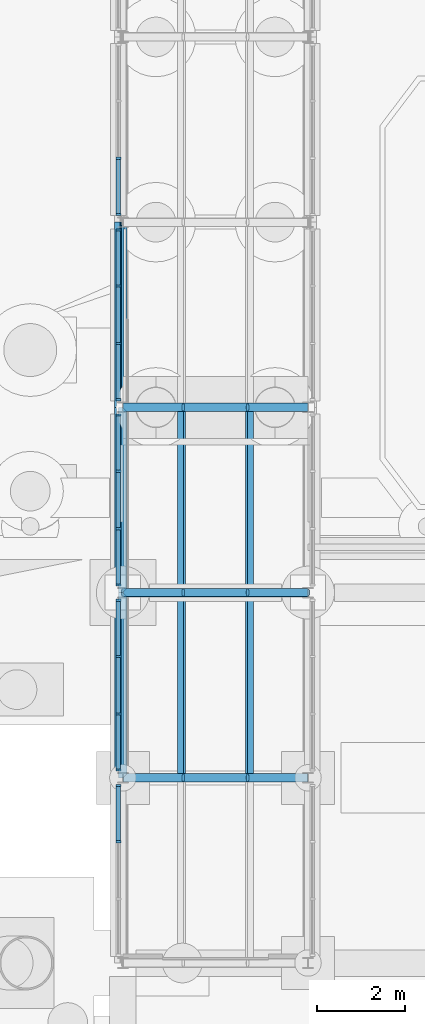
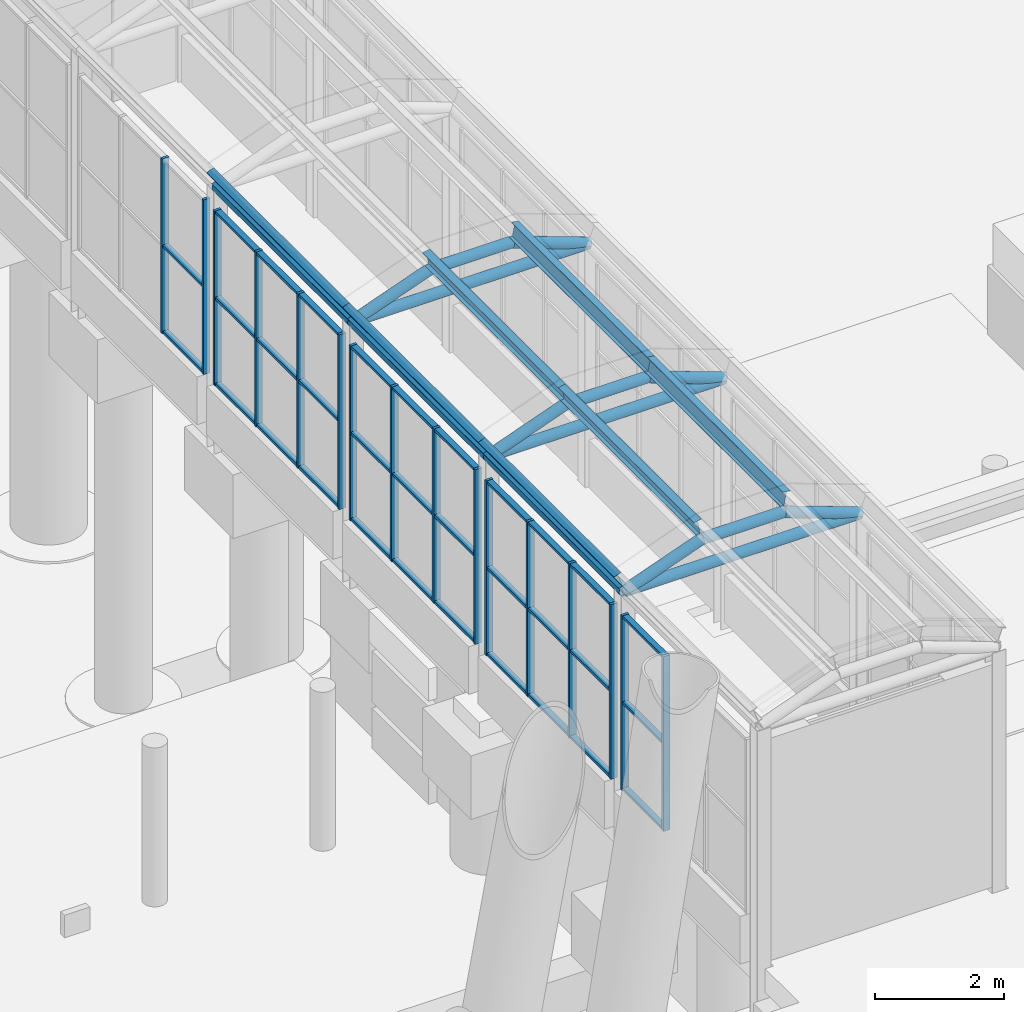
# One storey, part 66 of 222: 58 members, 12 beams, 5 elements without a shape of their own.
"""IFC4 building model written with IfcOpenShell, lengths in metres."""

from ifc_helpers import new_model, si_unit, direction, frame, origin, origin_2d, place, context, subcontext, project, spatial, rectangle, hollow_circle, i_section, extrude, material, material_profile, profile_set, type_object, element, aggregate, save


model = new_model("IFC4")

# Units and contexts
model_context = context("Model", 3, precision=1e-05, world=origin(), true_north=direction((0.0, 1.0)))
body_context = subcontext(model_context, "Body", "Model", "MODEL_VIEW")
ifc_project = project(units=[si_unit("LENGTHUNIT", "METRE"), si_unit("AREAUNIT", "SQUARE_METRE"), si_unit("VOLUMEUNIT", "CUBIC_METRE"), si_unit("PLANEANGLEUNIT", "RADIAN"), si_unit("MASSUNIT", "GRAM", prefix="KILO")], contexts=[model_context])

# Site, building, storey
site_placement = place(None, origin())
site = spatial("IfcSite", under=ifc_project, at=site_placement, CompositionType="ELEMENT")
building_placement = place(site_placement, origin())
building = spatial("IfcBuilding", under=site, at=building_placement, Name="Sava Quay Ferry Terminal", CompositionType="ELEMENT")
storey_placement = place(building_placement, origin())
storey = spatial("IfcBuildingStorey", under=building, at=storey_placement, Name="L00", CompositionType="ELEMENT", Elevation=0.0)

# Beams
ifc_material_1 = material(Name="Steel S355", Category="steel")
ifc_material_profile_1 = material_profile(ifc_material_1, hollow_circle(Radius=0.096923828125, WallThickness=0.008056640625, at=origin_2d()), Name="CHS 193.7 x 8.0")
ifc_profile_set_1 = profile_set([ifc_material_profile_1], Name="Steel S355")
beam_type_1 = type_object("IfcBeamType", Name="Gallery eave beam CHS 193.7x8", PredefinedType="BEAM", material=ifc_profile_set_1)
beam_1_placement = place(storey_placement, frame((75.60009765625, 113.39990234375, 4.5), z_axis=(0.0, 1.0, 0.0), x_axis=(-1.0, 0.0, 0.0)))
element("IfcBeam", 1, at=beam_1_placement, inside=storey, type_object=beam_type_1, Name="Boarding gallery B2 eave beam L2", PredefinedType="BEAM", context=body_context, shape_type="SweptSolid", body=[
    extrude(hollow_circle(Radius=0.096923828125, WallThickness=0.008056640625, at=origin_2d()), origin(), (0.0, 0.0, 1.0), 4.2001953125),
])
for number, where, z_axis, x_axis, name in (
    (2, (75.60009765625, 117.60009765625, 4.5), (0.0, 1.0, 0.0), (-1.0, 0.0, 0.0), "Boarding gallery B2 eave beam L3"),
    (3, (75.60009765625, 121.800048828125, 4.5), (0.0, 1.0, 0.0), (-1.0, 0.0, 0.0), "Boarding gallery B2 eave beam L4"),
):
    element("IfcBeam", number, at=place(storey_placement, frame(where, z_axis=z_axis, x_axis=x_axis)), inside=storey, type_object=beam_type_1, Name=name, PredefinedType="BEAM", context=body_context, shape_type="SweptSolid", body=[
        extrude(hollow_circle(Radius=0.096923828125, WallThickness=0.008056640625, at=origin_2d()), origin(), (0.0, 0.0, 1.0), 4.199951171875),
    ])

# Members
ifc_material_2 = material(Name="Steel S355", Category="steel")
ifc_material_profile_2 = material_profile(ifc_material_2, i_section(OverallWidth=0.135009765625, OverallDepth=0.27001953125, WebThickness=0.006591796875, FlangeThickness=0.01025390625, at=origin_2d()), Name="IPE 270")
ifc_profile_set_2 = profile_set([ifc_material_profile_2], Name="Steel S355")
member_type_1 = type_object("IfcMemberType", Name="Gallery purlin IPE 270", PredefinedType="PURLIN", material=ifc_profile_set_2)
for number, where, z_axis, x_axis, name in (
    (4, (75.520751953125, 113.39990234375, 4.718017578125), (0.0, 1.0, 0.0), (-0.939692620786, 0.0, -0.342020143326), "Boarding gallery B2 edge purlin bay 2 V0"),
    (5, (76.9296875, 113.39990234375, 5.230712890625), (0.0, 1.0, 0.0), (-0.984807753012, 0.0, -0.173648177667), "Boarding gallery B2 purlin bay 2 V1"),
    (6, (78.47021484375, 113.39990234375, 5.230712890625), (0.0, 1.0, 0.0), (-0.984807753012, 0.0, 0.173648177667), "Boarding gallery B2 purlin bay 2 V2"),
):
    element("IfcMember", number, at=place(storey_placement, frame(where, z_axis=z_axis, x_axis=x_axis)), inside=storey, type_object=member_type_1, Name=name, PredefinedType="PURLIN", context=body_context, shape_type="SweptSolid", body=[
        extrude(i_section(OverallWidth=0.135009765625, OverallDepth=0.27001953125, WebThickness=0.006591796875, FlangeThickness=0.01025390625, at=origin_2d()), origin(), (0.0, 0.0, 1.0), 4.2001953125),
    ])
for number, where, z_axis, x_axis, name in (
    (7, (75.520751953125, 117.60009765625, 4.718017578125), (0.0, 1.0, 0.0), (-0.939692620786, 0.0, -0.342020143326), "Boarding gallery B2 edge purlin bay 3 V0"),
    (8, (76.9296875, 117.60009765625, 5.230712890625), (0.0, 1.0, 0.0), (-0.984807753012, 0.0, -0.173648177667), "Boarding gallery B2 purlin bay 3 V1"),
    (9, (78.47021484375, 117.60009765625, 5.230712890625), (0.0, 1.0, 0.0), (-0.984807753012, 0.0, 0.173648177667), "Boarding gallery B2 purlin bay 3 V2"),
    (10, (75.520751953125, 121.800048828125, 4.718017578125), (0.0, 1.0, 0.0), (-0.939692620786, 0.0, -0.342020143326), "Boarding gallery B2 edge purlin bay 4 V0"),
):
    element("IfcMember", number, at=place(storey_placement, frame(where, z_axis=z_axis, x_axis=x_axis)), inside=storey, type_object=member_type_1, Name=name, PredefinedType="PURLIN", context=body_context, shape_type="SweptSolid", body=[
        extrude(i_section(OverallWidth=0.135009765625, OverallDepth=0.27001953125, WebThickness=0.006591796875, FlangeThickness=0.01025390625, at=origin_2d()), origin(), (0.0, 0.0, 1.0), 4.199951171875),
    ])

# Beams
ifc_material_3 = material(Name="Steel S355", Category="steel")
ifc_material_profile_3 = material_profile(ifc_material_3, hollow_circle(Radius=0.096923828125, WallThickness=0.008056640625, at=origin_2d()), Name="CHS 193.7 x 8.0")
ifc_profile_set_3 = profile_set([ifc_material_profile_3], Name="Steel S355")
beam_type_2 = type_object("IfcBeamType", Name="Gallery rib CHS 193.7x8", PredefinedType="BEAM", material=ifc_profile_set_3)
beam_2_placement = place(storey_placement, frame((75.60009765625, 113.39990234375, 4.5), z_axis=(0.939710313144, 0.0, 0.341971530059), x_axis=(0.0, 1.0, 0.0)))
element("IfcBeam", 11, at=beam_2_placement, inside=storey, type_object=beam_type_2, Name="Boarding gallery B2 arch rib R1 seg 1", PredefinedType="BEAM", context=body_context, shape_type="SweptSolid", body=[
    extrude(hollow_circle(Radius=0.096923828125, WallThickness=0.008056640625, at=origin_2d()), origin(), (0.0, 0.0, 1.0), 1.45849609375),
])
beam_3_placement = place(storey_placement, frame((76.970703125, 113.39990234375, 4.998779296875), z_axis=(1.0, 0.0, 0.0), x_axis=(0.0, 1.0, 0.0)))
element("IfcBeam", 12, at=beam_3_placement, inside=storey, type_object=beam_type_2, Name="Boarding gallery B2 arch rib R1 seg 2", PredefinedType="BEAM", context=body_context, shape_type="SweptSolid", body=[
    extrude(hollow_circle(Radius=0.096923828125, WallThickness=0.008056640625, at=origin_2d()), origin(), (0.0, 0.0, 1.0), 1.458740234375),
])
for number, where, z_axis, x_axis, name in (
    (13, (78.429443359375, 113.39990234375, 4.998779296875), (0.939710313144, 0.0, -0.341971530059), (0.0, 1.0, 0.0), "Boarding gallery B2 arch rib R1 seg 3"),
    (14, (75.60009765625, 117.60009765625, 4.5), (0.939710313144, 0.0, 0.341971530059), (0.0, 1.0, 0.0), "Boarding gallery B2 arch rib R2 seg 1"),
):
    element("IfcBeam", number, at=place(storey_placement, frame(where, z_axis=z_axis, x_axis=x_axis)), inside=storey, type_object=beam_type_2, Name=name, PredefinedType="BEAM", context=body_context, shape_type="SweptSolid", body=[
        extrude(hollow_circle(Radius=0.096923828125, WallThickness=0.008056640625, at=origin_2d()), origin(), (0.0, 0.0, 1.0), 1.45849609375),
    ])
beam_4_placement = place(storey_placement, frame((76.970703125, 117.60009765625, 4.998779296875), z_axis=(1.0, 0.0, 0.0), x_axis=(0.0, 1.0, 0.0)))
element("IfcBeam", 15, at=beam_4_placement, inside=storey, type_object=beam_type_2, Name="Boarding gallery B2 arch rib R2 seg 2", PredefinedType="BEAM", context=body_context, shape_type="SweptSolid", body=[
    extrude(hollow_circle(Radius=0.096923828125, WallThickness=0.008056640625, at=origin_2d()), origin(), (0.0, 0.0, 1.0), 1.458740234375),
])
for number, where, z_axis, x_axis, name in (
    (16, (78.429443359375, 117.60009765625, 4.998779296875), (0.939710313144, 0.0, -0.341971530059), (0.0, 1.0, 0.0), "Boarding gallery B2 arch rib R2 seg 3"),
    (17, (75.60009765625, 121.800048828125, 4.5), (0.939710313144, 0.0, 0.341971530059), (0.0, 1.0, 0.0), "Boarding gallery B2 arch rib R3 seg 1"),
):
    element("IfcBeam", number, at=place(storey_placement, frame(where, z_axis=z_axis, x_axis=x_axis)), inside=storey, type_object=beam_type_2, Name=name, PredefinedType="BEAM", context=body_context, shape_type="SweptSolid", body=[
        extrude(hollow_circle(Radius=0.096923828125, WallThickness=0.008056640625, at=origin_2d()), origin(), (0.0, 0.0, 1.0), 1.45849609375),
    ])
beam_5_placement = place(storey_placement, frame((76.970703125, 121.800048828125, 4.998779296875), z_axis=(1.0, 0.0, 0.0), x_axis=(0.0, 1.0, 0.0)))
element("IfcBeam", 18, at=beam_5_placement, inside=storey, type_object=beam_type_2, Name="Boarding gallery B2 arch rib R3 seg 2", PredefinedType="BEAM", context=body_context, shape_type="SweptSolid", body=[
    extrude(hollow_circle(Radius=0.096923828125, WallThickness=0.008056640625, at=origin_2d()), origin(), (0.0, 0.0, 1.0), 1.458740234375),
])
beam_6_placement = place(storey_placement, frame((78.429443359375, 121.800048828125, 4.998779296875), z_axis=(0.939710313144, 0.0, -0.341971530059), x_axis=(0.0, 1.0, 0.0)))
element("IfcBeam", 19, at=beam_6_placement, inside=storey, type_object=beam_type_2, Name="Boarding gallery B2 arch rib R3 seg 3", PredefinedType="BEAM", context=body_context, shape_type="SweptSolid", body=[
    extrude(hollow_circle(Radius=0.096923828125, WallThickness=0.008056640625, at=origin_2d()), origin(), (0.0, 0.0, 1.0), 1.45849609375),
])

# Members
ifc_material_4 = material(Name="Steel S355", Category="steel")
ifc_material_profile_4 = material_profile(ifc_material_4, hollow_circle(Radius=0.096923828125, WallThickness=0.008056640625, at=origin_2d()), Name="CHS 193.7 x 8.0")
ifc_profile_set_4 = profile_set([ifc_material_profile_4], Name="Steel S355")
member_type_2 = type_object("IfcMemberType", Name="Gallery tie CHS 193.7x8", PredefinedType="USERDEFINED", material=ifc_profile_set_4)
for number, where, z_axis, x_axis, name in (
    (20, (75.60009765625, 113.39990234375, 4.5), (1.0, 0.0, 0.0), (0.0, 1.0, 0.0), "Boarding gallery B2 arch tie R1"),
    (21, (75.60009765625, 117.60009765625, 4.5), (1.0, 0.0, 0.0), (0.0, 1.0, 0.0), "Boarding gallery B2 arch tie R2"),
    (22, (75.60009765625, 121.800048828125, 4.5), (1.0, 0.0, 0.0), (0.0, 1.0, 0.0), "Boarding gallery B2 arch tie R3"),
):
    element("IfcMember", number, at=place(storey_placement, frame(where, z_axis=z_axis, x_axis=x_axis)), inside=storey, type_object=member_type_2, Name=name, ObjectType="ARCH TIE", PredefinedType="USERDEFINED", context=body_context, shape_type="SweptSolid", body=[
        extrude(hollow_circle(Radius=0.096923828125, WallThickness=0.008056640625, at=origin_2d()), origin(), (0.0, 0.0, 1.0), 4.199951171875),
    ])

# Curtain wall, members
ifc_material_5 = material(Name="Aluminium and glass curtain wall, double glazed", Category="aluminium")
curtain_wall_type = type_object("IfcCurtainWallType", Name="Curtain wall CW-B gallery", PredefinedType="NOTDEFINED", material=ifc_material_5)
curtain_wall_1_placement = place(storey_placement, origin())
curtain_wall_1 = element("IfcCurtainWall", 23, at=curtain_wall_1_placement, inside=storey, type_object=curtain_wall_type, Name="Curtain wall B2-W L00 bay 1", PredefinedType="NOTDEFINED")
ifc_material_6 = material(Name="Aluminium EN AW-6063 T6", Category="aluminium")
ifc_material_profile_5 = material_profile(ifc_material_6, rectangle(XDim=0.1201171875, YDim=0.050048828125, at=origin_2d()), Name="Mullion 50x120 aluminium")
ifc_profile_set_5 = profile_set([ifc_material_profile_5], Name="Aluminium EN AW-6063 T6")
member_type_3 = type_object("IfcMemberType", Name="Mullion 50x120 aluminium", PredefinedType="MULLION", material=ifc_profile_set_5)
member_1_placement = place(storey_placement, frame((75.5, 111.949951171875, 0.89990234375), z_axis=(0.0, 0.0, 1.0), x_axis=(-1.0, 0.0, 0.0)))
member_1 = element("IfcMember", 24, at=member_1_placement, type_object=member_type_3, Name="CW31 mullion 3", PredefinedType="MULLION", context=body_context, shape_type="SweptSolid", body=[
    extrude(rectangle(XDim=0.1201171875, YDim=0.050048828125, at=origin_2d()), origin(), (0.0, 0.0, 1.0), 3.300048828125),
])
member_2_placement = place(storey_placement, frame((75.5, 113.22509765625, 0.89990234375), z_axis=(0.0, 0.0, 1.0), x_axis=(-1.0, 0.0, 0.0)))
member_2 = element("IfcMember", 25, at=member_2_placement, type_object=member_type_3, Name="CW31 mullion 4", PredefinedType="MULLION", context=body_context, shape_type="SweptSolid", body=[
    extrude(rectangle(XDim=0.1201171875, YDim=0.050048828125, at=origin_2d()), origin(), (0.0, 0.0, 1.0), 3.300048828125),
])

curtain_wall_2_placement = place(storey_placement, origin())
curtain_wall_2 = element("IfcCurtainWall", 26, at=curtain_wall_2_placement, inside=storey, type_object=curtain_wall_type, Name="Curtain wall B2-W L00 bay 2", PredefinedType="NOTDEFINED")
member_3_placement = place(storey_placement, frame((75.5, 113.574951171875, 0.89990234375), z_axis=(0.0, 0.0, 1.0), x_axis=(-1.0, 0.0, 0.0)))
member_3 = element("IfcMember", 27, at=member_3_placement, type_object=member_type_3, Name="CW32 mullion 1", PredefinedType="MULLION", context=body_context, shape_type="SweptSolid", body=[
    extrude(rectangle(XDim=0.1201171875, YDim=0.050048828125, at=origin_2d()), origin(), (0.0, 0.0, 1.0), 3.300048828125),
])
member_4_placement = place(storey_placement, frame((75.5, 114.85009765625, 0.89990234375), z_axis=(0.0, 0.0, 1.0), x_axis=(-1.0, 0.0, 0.0)))
member_4 = element("IfcMember", 28, at=member_4_placement, type_object=member_type_3, Name="CW32 mullion 2", PredefinedType="MULLION", context=body_context, shape_type="SweptSolid", body=[
    extrude(rectangle(XDim=0.1201171875, YDim=0.050048828125, at=origin_2d()), origin(), (0.0, 0.0, 1.0), 3.300048828125),
])
member_5_placement = place(storey_placement, frame((75.5, 116.14990234375, 0.89990234375), z_axis=(0.0, 0.0, 1.0), x_axis=(-1.0, 0.0, 0.0)))
member_5 = element("IfcMember", 29, at=member_5_placement, type_object=member_type_3, Name="CW32 mullion 3", PredefinedType="MULLION", context=body_context, shape_type="SweptSolid", body=[
    extrude(rectangle(XDim=0.1201171875, YDim=0.050048828125, at=origin_2d()), origin(), (0.0, 0.0, 1.0), 3.300048828125),
])
member_6_placement = place(storey_placement, frame((75.5, 117.425048828125, 0.89990234375), z_axis=(0.0, 0.0, 1.0), x_axis=(-1.0, 0.0, 0.0)))
member_6 = element("IfcMember", 30, at=member_6_placement, type_object=member_type_3, Name="CW32 mullion 4", PredefinedType="MULLION", context=body_context, shape_type="SweptSolid", body=[
    extrude(rectangle(XDim=0.1201171875, YDim=0.050048828125, at=origin_2d()), origin(), (0.0, 0.0, 1.0), 3.300048828125),
])

curtain_wall_3_placement = place(storey_placement, origin())
curtain_wall_3 = element("IfcCurtainWall", 31, at=curtain_wall_3_placement, inside=storey, type_object=curtain_wall_type, Name="Curtain wall B2-W L00 bay 3", PredefinedType="NOTDEFINED")
member_7_placement = place(storey_placement, frame((75.5, 117.77490234375, 0.89990234375), z_axis=(0.0, 0.0, 1.0), x_axis=(-1.0, 0.0, 0.0)))
member_7 = element("IfcMember", 32, at=member_7_placement, type_object=member_type_3, Name="CW33 mullion 1", PredefinedType="MULLION", context=body_context, shape_type="SweptSolid", body=[
    extrude(rectangle(XDim=0.1201171875, YDim=0.050048828125, at=origin_2d()), origin(), (0.0, 0.0, 1.0), 3.300048828125),
])
member_8_placement = place(storey_placement, frame((75.5, 119.050048828125, 0.89990234375), z_axis=(0.0, 0.0, 1.0), x_axis=(-1.0, 0.0, 0.0)))
member_8 = element("IfcMember", 33, at=member_8_placement, type_object=member_type_3, Name="CW33 mullion 2", PredefinedType="MULLION", context=body_context, shape_type="SweptSolid", body=[
    extrude(rectangle(XDim=0.1201171875, YDim=0.050048828125, at=origin_2d()), origin(), (0.0, 0.0, 1.0), 3.300048828125),
])
member_9_placement = place(storey_placement, frame((75.5, 120.35009765625, 0.89990234375), z_axis=(0.0, 0.0, 1.0), x_axis=(-1.0, 0.0, 0.0)))
member_9 = element("IfcMember", 34, at=member_9_placement, type_object=member_type_3, Name="CW33 mullion 3", PredefinedType="MULLION", context=body_context, shape_type="SweptSolid", body=[
    extrude(rectangle(XDim=0.1201171875, YDim=0.050048828125, at=origin_2d()), origin(), (0.0, 0.0, 1.0), 3.300048828125),
])
member_10_placement = place(storey_placement, frame((75.5, 121.625, 0.89990234375), z_axis=(0.0, 0.0, 1.0), x_axis=(-1.0, 0.0, 0.0)))
member_10 = element("IfcMember", 35, at=member_10_placement, type_object=member_type_3, Name="CW33 mullion 4", PredefinedType="MULLION", context=body_context, shape_type="SweptSolid", body=[
    extrude(rectangle(XDim=0.1201171875, YDim=0.050048828125, at=origin_2d()), origin(), (0.0, 0.0, 1.0), 3.300048828125),
])

curtain_wall_4_placement = place(storey_placement, origin())
curtain_wall_4 = element("IfcCurtainWall", 36, at=curtain_wall_4_placement, inside=storey, type_object=curtain_wall_type, Name="Curtain wall B2-W L00 bay 4", PredefinedType="NOTDEFINED")
member_11_placement = place(storey_placement, frame((75.5, 121.97509765625, 0.89990234375), z_axis=(0.0, 0.0, 1.0), x_axis=(-1.0, 0.0, 0.0)))
member_11 = element("IfcMember", 37, at=member_11_placement, type_object=member_type_3, Name="CW34 mullion 1", PredefinedType="MULLION", context=body_context, shape_type="SweptSolid", body=[
    extrude(rectangle(XDim=0.1201171875, YDim=0.050048828125, at=origin_2d()), origin(), (0.0, 0.0, 1.0), 3.300048828125),
])
member_12_placement = place(storey_placement, frame((75.5, 123.25, 0.89990234375), z_axis=(0.0, 0.0, 1.0), x_axis=(-1.0, 0.0, 0.0)))
member_12 = element("IfcMember", 38, at=member_12_placement, type_object=member_type_3, Name="CW34 mullion 2", PredefinedType="MULLION", context=body_context, shape_type="SweptSolid", body=[
    extrude(rectangle(XDim=0.1201171875, YDim=0.050048828125, at=origin_2d()), origin(), (0.0, 0.0, 1.0), 3.300048828125),
])
member_13_placement = place(storey_placement, frame((75.5, 124.550048828125, 0.89990234375), z_axis=(0.0, 0.0, 1.0), x_axis=(-1.0, 0.0, 0.0)))
member_13 = element("IfcMember", 39, at=member_13_placement, type_object=member_type_3, Name="CW34 mullion 3", PredefinedType="MULLION", context=body_context, shape_type="SweptSolid", body=[
    extrude(rectangle(XDim=0.1201171875, YDim=0.050048828125, at=origin_2d()), origin(), (0.0, 0.0, 1.0), 3.300048828125),
])
member_14_placement = place(storey_placement, frame((75.5, 125.824951171875, 0.89990234375), z_axis=(0.0, 0.0, 1.0), x_axis=(-1.0, 0.0, 0.0)))
member_14 = element("IfcMember", 40, at=member_14_placement, type_object=member_type_3, Name="CW34 mullion 4", PredefinedType="MULLION", context=body_context, shape_type="SweptSolid", body=[
    extrude(rectangle(XDim=0.1201171875, YDim=0.050048828125, at=origin_2d()), origin(), (0.0, 0.0, 1.0), 3.300048828125),
])

curtain_wall_5_placement = place(storey_placement, origin())
curtain_wall_5 = element("IfcCurtainWall", 41, at=curtain_wall_5_placement, inside=storey, type_object=curtain_wall_type, Name="Curtain wall B2-W L00 bay 5", PredefinedType="NOTDEFINED")
member_15_placement = place(storey_placement, frame((75.5, 126.175048828125, 0.89990234375), z_axis=(0.0, 0.0, 1.0), x_axis=(-1.0, 0.0, 0.0)))
member_15 = element("IfcMember", 42, at=member_15_placement, type_object=member_type_3, Name="CW35 mullion 1", PredefinedType="MULLION", context=body_context, shape_type="SweptSolid", body=[
    extrude(rectangle(XDim=0.1201171875, YDim=0.050048828125, at=origin_2d()), origin(), (0.0, 0.0, 1.0), 3.300048828125),
])
member_16_placement = place(storey_placement, frame((75.5, 127.449951171875, 0.89990234375), z_axis=(0.0, 0.0, 1.0), x_axis=(-1.0, 0.0, 0.0)))
member_16 = element("IfcMember", 43, at=member_16_placement, type_object=member_type_3, Name="CW35 mullion 2", PredefinedType="MULLION", context=body_context, shape_type="SweptSolid", body=[
    extrude(rectangle(XDim=0.1201171875, YDim=0.050048828125, at=origin_2d()), origin(), (0.0, 0.0, 1.0), 3.300048828125),
])

# Member
ifc_material_7 = material(Name="Aluminium EN AW-6063 T6", Category="aluminium")
ifc_material_profile_6 = material_profile(ifc_material_7, rectangle(XDim=0.10009765625, YDim=0.050048828125, at=origin_2d()), Name="Transom 50x100 aluminium")
ifc_profile_set_6 = profile_set([ifc_material_profile_6], Name="Aluminium EN AW-6063 T6")
member_type_4 = type_object("IfcMemberType", Name="Transom 50x100 aluminium", PredefinedType="USERDEFINED", material=ifc_profile_set_6)
member_17_placement = place(storey_placement, frame((75.5, 111.97509765625, 0.925048828125), z_axis=(0.0, 1.0, 0.0), x_axis=(-1.0, 0.0, 0.0)))
member_17 = element("IfcMember", 44, at=member_17_placement, type_object=member_type_4, Name="CW31 transom 3.1", ObjectType="TRANSOM", PredefinedType="USERDEFINED", context=body_context, shape_type="SweptSolid", body=[
    extrude(rectangle(XDim=0.10009765625, YDim=0.050048828125, at=origin_2d()), origin(), (0.0, 0.0, 1.0), 1.224853515625),
])

member_18_placement = place(storey_placement, frame((75.5, 111.97509765625, 2.550048828125), z_axis=(0.0, 1.0, 0.0), x_axis=(-1.0, 0.0, 0.0)))
member_18 = element("IfcMember", 45, at=member_18_placement, type_object=member_type_4, Name="CW31 transom 3.2", ObjectType="TRANSOM", PredefinedType="USERDEFINED", context=body_context, shape_type="SweptSolid", body=[
    extrude(rectangle(XDim=0.10009765625, YDim=0.050048828125, at=origin_2d()), origin(), (0.0, 0.0, 1.0), 1.224853515625),
])

member_19_placement = place(storey_placement, frame((75.5, 111.97509765625, 4.175048828125), z_axis=(0.0, 1.0, 0.0), x_axis=(-1.0, 0.0, 0.0)))
member_19 = element("IfcMember", 46, at=member_19_placement, type_object=member_type_4, Name="CW31 transom 3.3", ObjectType="TRANSOM", PredefinedType="USERDEFINED", context=body_context, shape_type="SweptSolid", body=[
    extrude(rectangle(XDim=0.10009765625, YDim=0.050048828125, at=origin_2d()), origin(), (0.0, 0.0, 1.0), 1.224853515625),
])

aggregate(curtain_wall_1, [member_1, member_2, member_17, member_18, member_19])

member_20_placement = place(storey_placement, frame((75.5, 113.60009765625, 0.925048828125), z_axis=(0.0, 1.0, 0.0), x_axis=(-1.0, 0.0, 0.0)))
member_20 = element("IfcMember", 47, at=member_20_placement, type_object=member_type_4, Name="CW32 transom 1.1", ObjectType="TRANSOM", PredefinedType="USERDEFINED", context=body_context, shape_type="SweptSolid", body=[
    extrude(rectangle(XDim=0.10009765625, YDim=0.050048828125, at=origin_2d()), origin(), (0.0, 0.0, 1.0), 1.224853515625),
])

member_21_placement = place(storey_placement, frame((75.5, 113.60009765625, 2.550048828125), z_axis=(0.0, 1.0, 0.0), x_axis=(-1.0, 0.0, 0.0)))
member_21 = element("IfcMember", 48, at=member_21_placement, type_object=member_type_4, Name="CW32 transom 1.2", ObjectType="TRANSOM", PredefinedType="USERDEFINED", context=body_context, shape_type="SweptSolid", body=[
    extrude(rectangle(XDim=0.10009765625, YDim=0.050048828125, at=origin_2d()), origin(), (0.0, 0.0, 1.0), 1.224853515625),
])

member_22_placement = place(storey_placement, frame((75.5, 113.60009765625, 4.175048828125), z_axis=(0.0, 1.0, 0.0), x_axis=(-1.0, 0.0, 0.0)))
member_22 = element("IfcMember", 49, at=member_22_placement, type_object=member_type_4, Name="CW32 transom 1.3", ObjectType="TRANSOM", PredefinedType="USERDEFINED", context=body_context, shape_type="SweptSolid", body=[
    extrude(rectangle(XDim=0.10009765625, YDim=0.050048828125, at=origin_2d()), origin(), (0.0, 0.0, 1.0), 1.224853515625),
])

member_23_placement = place(storey_placement, frame((75.5, 114.875, 0.925048828125), z_axis=(0.0, 1.0, 0.0), x_axis=(-1.0, 0.0, 0.0)))
member_23 = element("IfcMember", 50, at=member_23_placement, type_object=member_type_4, Name="CW32 transom 2.1", ObjectType="TRANSOM", PredefinedType="USERDEFINED", context=body_context, shape_type="SweptSolid", body=[
    extrude(rectangle(XDim=0.10009765625, YDim=0.050048828125, at=origin_2d()), origin(), (0.0, 0.0, 1.0), 1.25),
])

member_24_placement = place(storey_placement, frame((75.5, 114.875, 2.550048828125), z_axis=(0.0, 1.0, 0.0), x_axis=(-1.0, 0.0, 0.0)))
member_24 = element("IfcMember", 51, at=member_24_placement, type_object=member_type_4, Name="CW32 transom 2.2", ObjectType="TRANSOM", PredefinedType="USERDEFINED", context=body_context, shape_type="SweptSolid", body=[
    extrude(rectangle(XDim=0.10009765625, YDim=0.050048828125, at=origin_2d()), origin(), (0.0, 0.0, 1.0), 1.25),
])

member_25_placement = place(storey_placement, frame((75.5, 114.875, 4.175048828125), z_axis=(0.0, 1.0, 0.0), x_axis=(-1.0, 0.0, 0.0)))
member_25 = element("IfcMember", 52, at=member_25_placement, type_object=member_type_4, Name="CW32 transom 2.3", ObjectType="TRANSOM", PredefinedType="USERDEFINED", context=body_context, shape_type="SweptSolid", body=[
    extrude(rectangle(XDim=0.10009765625, YDim=0.050048828125, at=origin_2d()), origin(), (0.0, 0.0, 1.0), 1.25),
])

member_26_placement = place(storey_placement, frame((75.5, 116.175048828125, 0.925048828125), z_axis=(0.0, 1.0, 0.0), x_axis=(-1.0, 0.0, 0.0)))
member_26 = element("IfcMember", 53, at=member_26_placement, type_object=member_type_4, Name="CW32 transom 3.1", ObjectType="TRANSOM", PredefinedType="USERDEFINED", context=body_context, shape_type="SweptSolid", body=[
    extrude(rectangle(XDim=0.10009765625, YDim=0.050048828125, at=origin_2d()), origin(), (0.0, 0.0, 1.0), 1.224853515625),
])

member_27_placement = place(storey_placement, frame((75.5, 116.175048828125, 2.550048828125), z_axis=(0.0, 1.0, 0.0), x_axis=(-1.0, 0.0, 0.0)))
member_27 = element("IfcMember", 54, at=member_27_placement, type_object=member_type_4, Name="CW32 transom 3.2", ObjectType="TRANSOM", PredefinedType="USERDEFINED", context=body_context, shape_type="SweptSolid", body=[
    extrude(rectangle(XDim=0.10009765625, YDim=0.050048828125, at=origin_2d()), origin(), (0.0, 0.0, 1.0), 1.224853515625),
])

member_28_placement = place(storey_placement, frame((75.5, 116.175048828125, 4.175048828125), z_axis=(0.0, 1.0, 0.0), x_axis=(-1.0, 0.0, 0.0)))
member_28 = element("IfcMember", 55, at=member_28_placement, type_object=member_type_4, Name="CW32 transom 3.3", ObjectType="TRANSOM", PredefinedType="USERDEFINED", context=body_context, shape_type="SweptSolid", body=[
    extrude(rectangle(XDim=0.10009765625, YDim=0.050048828125, at=origin_2d()), origin(), (0.0, 0.0, 1.0), 1.224853515625),
])

aggregate(curtain_wall_2, [member_3, member_4, member_5, member_6, member_20, member_21, member_22, member_23, member_24, member_25, member_26, member_27, member_28])

member_29_placement = place(storey_placement, frame((75.5, 117.800048828125, 0.925048828125), z_axis=(0.0, 1.0, 0.0), x_axis=(-1.0, 0.0, 0.0)))
member_29 = element("IfcMember", 56, at=member_29_placement, type_object=member_type_4, Name="CW33 transom 1.1", ObjectType="TRANSOM", PredefinedType="USERDEFINED", context=body_context, shape_type="SweptSolid", body=[
    extrude(rectangle(XDim=0.10009765625, YDim=0.050048828125, at=origin_2d()), origin(), (0.0, 0.0, 1.0), 1.224853515625),
])

member_30_placement = place(storey_placement, frame((75.5, 117.800048828125, 2.550048828125), z_axis=(0.0, 1.0, 0.0), x_axis=(-1.0, 0.0, 0.0)))
member_30 = element("IfcMember", 57, at=member_30_placement, type_object=member_type_4, Name="CW33 transom 1.2", ObjectType="TRANSOM", PredefinedType="USERDEFINED", context=body_context, shape_type="SweptSolid", body=[
    extrude(rectangle(XDim=0.10009765625, YDim=0.050048828125, at=origin_2d()), origin(), (0.0, 0.0, 1.0), 1.224853515625),
])

member_31_placement = place(storey_placement, frame((75.5, 117.800048828125, 4.175048828125), z_axis=(0.0, 1.0, 0.0), x_axis=(-1.0, 0.0, 0.0)))
member_31 = element("IfcMember", 58, at=member_31_placement, type_object=member_type_4, Name="CW33 transom 1.3", ObjectType="TRANSOM", PredefinedType="USERDEFINED", context=body_context, shape_type="SweptSolid", body=[
    extrude(rectangle(XDim=0.10009765625, YDim=0.050048828125, at=origin_2d()), origin(), (0.0, 0.0, 1.0), 1.224853515625),
])

member_32_placement = place(storey_placement, frame((75.5, 119.074951171875, 0.925048828125), z_axis=(0.0, 1.0, 0.0), x_axis=(-1.0, 0.0, 0.0)))
member_32 = element("IfcMember", 59, at=member_32_placement, type_object=member_type_4, Name="CW33 transom 2.1", ObjectType="TRANSOM", PredefinedType="USERDEFINED", context=body_context, shape_type="SweptSolid", body=[
    extrude(rectangle(XDim=0.10009765625, YDim=0.050048828125, at=origin_2d()), origin(), (0.0, 0.0, 1.0), 1.25),
])

member_33_placement = place(storey_placement, frame((75.5, 119.074951171875, 2.550048828125), z_axis=(0.0, 1.0, 0.0), x_axis=(-1.0, 0.0, 0.0)))
member_33 = element("IfcMember", 60, at=member_33_placement, type_object=member_type_4, Name="CW33 transom 2.2", ObjectType="TRANSOM", PredefinedType="USERDEFINED", context=body_context, shape_type="SweptSolid", body=[
    extrude(rectangle(XDim=0.10009765625, YDim=0.050048828125, at=origin_2d()), origin(), (0.0, 0.0, 1.0), 1.25),
])

member_34_placement = place(storey_placement, frame((75.5, 119.074951171875, 4.175048828125), z_axis=(0.0, 1.0, 0.0), x_axis=(-1.0, 0.0, 0.0)))
member_34 = element("IfcMember", 61, at=member_34_placement, type_object=member_type_4, Name="CW33 transom 2.3", ObjectType="TRANSOM", PredefinedType="USERDEFINED", context=body_context, shape_type="SweptSolid", body=[
    extrude(rectangle(XDim=0.10009765625, YDim=0.050048828125, at=origin_2d()), origin(), (0.0, 0.0, 1.0), 1.25),
])

member_35_placement = place(storey_placement, frame((75.5, 120.375, 0.925048828125), z_axis=(0.0, 1.0, 0.0), x_axis=(-1.0, 0.0, 0.0)))
member_35 = element("IfcMember", 62, at=member_35_placement, type_object=member_type_4, Name="CW33 transom 3.1", ObjectType="TRANSOM", PredefinedType="USERDEFINED", context=body_context, shape_type="SweptSolid", body=[
    extrude(rectangle(XDim=0.10009765625, YDim=0.050048828125, at=origin_2d()), origin(), (0.0, 0.0, 1.0), 1.22509765625),
])

member_36_placement = place(storey_placement, frame((75.5, 120.375, 2.550048828125), z_axis=(0.0, 1.0, 0.0), x_axis=(-1.0, 0.0, 0.0)))
member_36 = element("IfcMember", 63, at=member_36_placement, type_object=member_type_4, Name="CW33 transom 3.2", ObjectType="TRANSOM", PredefinedType="USERDEFINED", context=body_context, shape_type="SweptSolid", body=[
    extrude(rectangle(XDim=0.10009765625, YDim=0.050048828125, at=origin_2d()), origin(), (0.0, 0.0, 1.0), 1.22509765625),
])

member_37_placement = place(storey_placement, frame((75.5, 120.375, 4.175048828125), z_axis=(0.0, 1.0, 0.0), x_axis=(-1.0, 0.0, 0.0)))
member_37 = element("IfcMember", 64, at=member_37_placement, type_object=member_type_4, Name="CW33 transom 3.3", ObjectType="TRANSOM", PredefinedType="USERDEFINED", context=body_context, shape_type="SweptSolid", body=[
    extrude(rectangle(XDim=0.10009765625, YDim=0.050048828125, at=origin_2d()), origin(), (0.0, 0.0, 1.0), 1.22509765625),
])

aggregate(curtain_wall_3, [member_7, member_8, member_9, member_10, member_29, member_30, member_31, member_32, member_33, member_34, member_35, member_36, member_37])

member_38_placement = place(storey_placement, frame((75.5, 122.0, 0.925048828125), z_axis=(0.0, 1.0, 0.0), x_axis=(-1.0, 0.0, 0.0)))
member_38 = element("IfcMember", 65, at=member_38_placement, type_object=member_type_4, Name="CW34 transom 1.1", ObjectType="TRANSOM", PredefinedType="USERDEFINED", context=body_context, shape_type="SweptSolid", body=[
    extrude(rectangle(XDim=0.10009765625, YDim=0.050048828125, at=origin_2d()), origin(), (0.0, 0.0, 1.0), 1.22509765625),
])

member_39_placement = place(storey_placement, frame((75.5, 122.0, 2.550048828125), z_axis=(0.0, 1.0, 0.0), x_axis=(-1.0, 0.0, 0.0)))
member_39 = element("IfcMember", 66, at=member_39_placement, type_object=member_type_4, Name="CW34 transom 1.2", ObjectType="TRANSOM", PredefinedType="USERDEFINED", context=body_context, shape_type="SweptSolid", body=[
    extrude(rectangle(XDim=0.10009765625, YDim=0.050048828125, at=origin_2d()), origin(), (0.0, 0.0, 1.0), 1.22509765625),
])

member_40_placement = place(storey_placement, frame((75.5, 122.0, 4.175048828125), z_axis=(0.0, 1.0, 0.0), x_axis=(-1.0, 0.0, 0.0)))
member_40 = element("IfcMember", 67, at=member_40_placement, type_object=member_type_4, Name="CW34 transom 1.3", ObjectType="TRANSOM", PredefinedType="USERDEFINED", context=body_context, shape_type="SweptSolid", body=[
    extrude(rectangle(XDim=0.10009765625, YDim=0.050048828125, at=origin_2d()), origin(), (0.0, 0.0, 1.0), 1.22509765625),
])

member_41_placement = place(storey_placement, frame((75.5, 123.27490234375, 0.925048828125), z_axis=(0.0, 1.0, 0.0), x_axis=(-1.0, 0.0, 0.0)))
member_41 = element("IfcMember", 68, at=member_41_placement, type_object=member_type_4, Name="CW34 transom 2.1", ObjectType="TRANSOM", PredefinedType="USERDEFINED", context=body_context, shape_type="SweptSolid", body=[
    extrude(rectangle(XDim=0.10009765625, YDim=0.050048828125, at=origin_2d()), origin(), (0.0, 0.0, 1.0), 1.25),
])

member_42_placement = place(storey_placement, frame((75.5, 123.27490234375, 2.550048828125), z_axis=(0.0, 1.0, 0.0), x_axis=(-1.0, 0.0, 0.0)))
member_42 = element("IfcMember", 69, at=member_42_placement, type_object=member_type_4, Name="CW34 transom 2.2", ObjectType="TRANSOM", PredefinedType="USERDEFINED", context=body_context, shape_type="SweptSolid", body=[
    extrude(rectangle(XDim=0.10009765625, YDim=0.050048828125, at=origin_2d()), origin(), (0.0, 0.0, 1.0), 1.25),
])

member_43_placement = place(storey_placement, frame((75.5, 123.27490234375, 4.175048828125), z_axis=(0.0, 1.0, 0.0), x_axis=(-1.0, 0.0, 0.0)))
member_43 = element("IfcMember", 70, at=member_43_placement, type_object=member_type_4, Name="CW34 transom 2.3", ObjectType="TRANSOM", PredefinedType="USERDEFINED", context=body_context, shape_type="SweptSolid", body=[
    extrude(rectangle(XDim=0.10009765625, YDim=0.050048828125, at=origin_2d()), origin(), (0.0, 0.0, 1.0), 1.25),
])

member_44_placement = place(storey_placement, frame((75.5, 124.574951171875, 0.925048828125), z_axis=(0.0, 1.0, 0.0), x_axis=(-1.0, 0.0, 0.0)))
member_44 = element("IfcMember", 71, at=member_44_placement, type_object=member_type_4, Name="CW34 transom 3.1", ObjectType="TRANSOM", PredefinedType="USERDEFINED", context=body_context, shape_type="SweptSolid", body=[
    extrude(rectangle(XDim=0.10009765625, YDim=0.050048828125, at=origin_2d()), origin(), (0.0, 0.0, 1.0), 1.22509765625),
])

member_45_placement = place(storey_placement, frame((75.5, 124.574951171875, 2.550048828125), z_axis=(0.0, 1.0, 0.0), x_axis=(-1.0, 0.0, 0.0)))
member_45 = element("IfcMember", 72, at=member_45_placement, type_object=member_type_4, Name="CW34 transom 3.2", ObjectType="TRANSOM", PredefinedType="USERDEFINED", context=body_context, shape_type="SweptSolid", body=[
    extrude(rectangle(XDim=0.10009765625, YDim=0.050048828125, at=origin_2d()), origin(), (0.0, 0.0, 1.0), 1.22509765625),
])

member_46_placement = place(storey_placement, frame((75.5, 124.574951171875, 4.175048828125), z_axis=(0.0, 1.0, 0.0), x_axis=(-1.0, 0.0, 0.0)))
member_46 = element("IfcMember", 73, at=member_46_placement, type_object=member_type_4, Name="CW34 transom 3.3", ObjectType="TRANSOM", PredefinedType="USERDEFINED", context=body_context, shape_type="SweptSolid", body=[
    extrude(rectangle(XDim=0.10009765625, YDim=0.050048828125, at=origin_2d()), origin(), (0.0, 0.0, 1.0), 1.22509765625),
])

aggregate(curtain_wall_4, [member_11, member_12, member_13, member_14, member_38, member_39, member_40, member_41, member_42, member_43, member_44, member_45, member_46])

member_47_placement = place(storey_placement, frame((75.5, 126.199951171875, 0.925048828125), z_axis=(0.0, 1.0, 0.0), x_axis=(-1.0, 0.0, 0.0)))
member_47 = element("IfcMember", 74, at=member_47_placement, type_object=member_type_4, Name="CW35 transom 1.1", ObjectType="TRANSOM", PredefinedType="USERDEFINED", context=body_context, shape_type="SweptSolid", body=[
    extrude(rectangle(XDim=0.10009765625, YDim=0.050048828125, at=origin_2d()), origin(), (0.0, 0.0, 1.0), 1.22509765625),
])

member_48_placement = place(storey_placement, frame((75.5, 126.199951171875, 2.550048828125), z_axis=(0.0, 1.0, 0.0), x_axis=(-1.0, 0.0, 0.0)))
member_48 = element("IfcMember", 75, at=member_48_placement, type_object=member_type_4, Name="CW35 transom 1.2", ObjectType="TRANSOM", PredefinedType="USERDEFINED", context=body_context, shape_type="SweptSolid", body=[
    extrude(rectangle(XDim=0.10009765625, YDim=0.050048828125, at=origin_2d()), origin(), (0.0, 0.0, 1.0), 1.22509765625),
])

aggregate(curtain_wall_5, [member_15, member_16, member_47, member_48])

save(model, "model.ifc")
